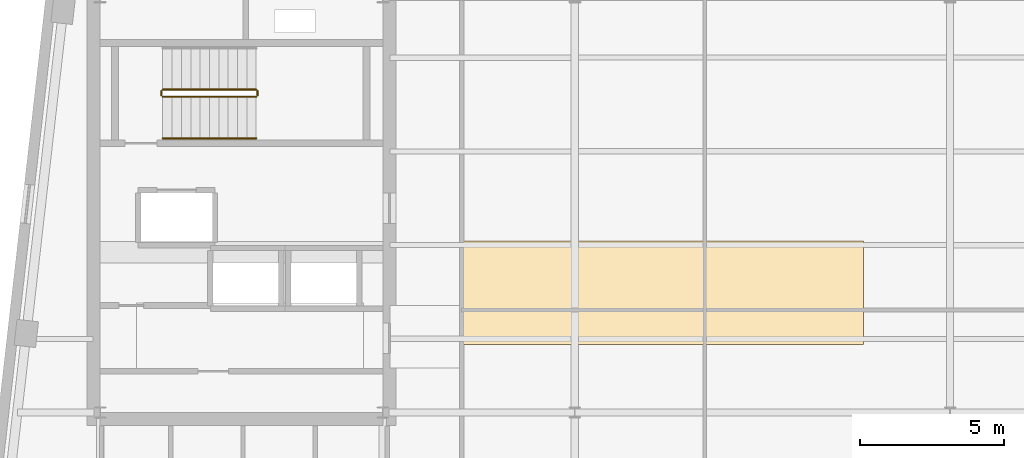
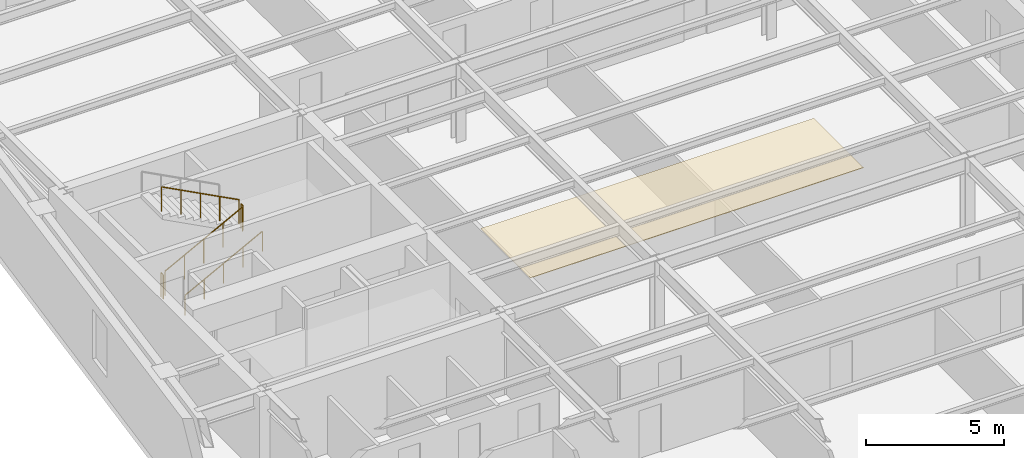
# One storey, part 11 of 13: 5 railings, 1 covering.
"""IFC4 building model written with IfcOpenShell, lengths in metres."""

from ifc_helpers import new_model, si_unit, direction, frame, origin, origin_2d, place, context, subcontext, project, spatial, polyline, circle, outline, extrude, material, layer, layer_set, type_object, element, save


model = new_model("IFC4")

# Units and contexts
model_context = context("Model", 3, precision=1e-05, world=origin(), true_north=direction((0.0, 1.0)))
body_context = subcontext(model_context, "Body", "Model", "MODEL_VIEW")
ifc_project = project(units=[si_unit("LENGTHUNIT", "METRE"), si_unit("AREAUNIT", "SQUARE_METRE"), si_unit("VOLUMEUNIT", "CUBIC_METRE"), si_unit("PLANEANGLEUNIT", "RADIAN"), si_unit("MASSUNIT", "GRAM", prefix="KILO")], contexts=[model_context])

# Site, building, storey
site_placement = place(None, origin())
site = spatial("IfcSite", under=ifc_project, at=site_placement, CompositionType="ELEMENT")
building_placement = place(site_placement, origin())
building = spatial("IfcBuilding", under=site, at=building_placement, Name="Kolvaren Arena Tower", CompositionType="ELEMENT")
storey_placement = place(building_placement, frame((0.0, 0.0, 250.949951171875)))
storey = spatial("IfcBuildingStorey", under=building, at=storey_placement, Name="L61", CompositionType="ELEMENT", Elevation=250.949951171875)

# Covering
ifc_material_1 = material(Name="Mineral fibre acoustic ceiling tile", Category="gypsum")
ifc_layer = layer(ifc_material_1, 0.02490234375)
ifc_layer_set = layer_set([ifc_layer], Name="Mineral fibre acoustic ceiling tile")
covering_type = type_object("IfcCoveringType", Name="CEIL-ACT-1", PredefinedType="CEILING", material=ifc_layer_set)
covering_placement = place(storey_placement, frame((0.0, 0.0, 2.52001953125)))
element("IfcCovering", 1, at=covering_placement, inside=storey, type_object=covering_type, Name="Suspended Ceiling (L61)", PredefinedType="CEILING", context=body_context, shape_type="SweptSolid", body=[
    extrude(outline(polyline([(27.050048828125, 21.800048828125), (27.050048828125, 25.39990234375), (41.0, 25.39990234375), (41.0, 21.800048828125), (27.050048828125, 21.800048828125)])), origin(), (0.0, 0.0, 1.0), 0.025146484375),
])

# Railings
ifc_material_2 = material(Name="Painted galvanized steel", Category="steel")
railing_type_1 = type_object("IfcRailingType", Name="GUARD-ST-110", PredefinedType="GUARDRAIL", material=ifc_material_2)
railing_1_placement = place(storey_placement, frame((16.719970703125, 30.389892578125, 0.17041015625)))
element("IfcRailing", 2, at=railing_1_placement, inside=storey, type_object=railing_type_1, Name="L61 ST-W1 stair guard 1", PredefinedType="GUARDRAIL", context=body_context, shape_type="SweptSolid", body=[
    extrude(circle(Radius=0.02392578125, at=origin_2d()), frame((0.0, 0.0, 1.076171875), z_axis=(0.884993431791, 0.0, 0.465603506952), x_axis=(0.0, 1.0, 0.0)), (0.0, 0.0, 1.0), 3.6611328125),
    extrude(circle(Radius=0.02099609375, at=origin_2d()), origin(), (0.0, 0.0, 1.0), 1.052001953125),
    extrude(circle(Radius=0.02099609375, at=origin_2d()), frame((0.81005859375, 0.0, 0.42626953125)), (0.0, 0.0, 1.0), 1.052001953125),
    extrude(circle(Radius=0.02099609375, at=origin_2d()), frame((1.6201171875, 0.0, 0.852294921875)), (0.0, 0.0, 1.0), 1.052001953125),
    extrude(circle(Radius=0.02099609375, at=origin_2d()), frame((2.429931640625, 0.0, 1.2783203125)), (0.0, 0.0, 1.0), 1.052001953125),
    extrude(circle(Radius=0.02099609375, at=origin_2d()), frame((3.239990234375, 0.0, 1.70458984375)), (0.0, 0.0, 1.0), 1.052001953125),
])
railing_2_placement = place(storey_placement, frame((20.010009765625, 30.43994140625, 1.875)))
element("IfcRailing", 3, at=railing_2_placement, inside=storey, type_object=railing_type_1, Name="L61 ST-W1 stair guard 2", PredefinedType="GUARDRAIL", context=body_context, shape_type="SweptSolid", body=[
    extrude(circle(Radius=0.02392578125, at=origin_2d()), frame((0.0, 0.0, 1.076171875), z_axis=(0.0, 1.0, 0.0), x_axis=(-1.0, 0.0, 0.0)), (0.0, 0.0, 1.0), 0.150146484375),
    extrude(circle(Radius=0.02099609375, at=origin_2d()), origin(), (0.0, 0.0, 1.0), 1.052001953125),
    extrude(circle(Radius=0.02099609375, at=origin_2d()), frame((0.0, 0.150146484375, 0.0)), (0.0, 0.0, 1.0), 1.052001953125),
])
railing_3_placement = place(storey_placement, frame((19.9599609375, 30.639892578125, 2.04541015625)))
element("IfcRailing", 4, at=railing_3_placement, inside=storey, type_object=railing_type_1, Name="L61 ST-W1 stair guard 3", PredefinedType="GUARDRAIL", context=body_context, shape_type="SweptSolid", body=[
    extrude(circle(Radius=0.02392578125, at=origin_2d()), frame((0.0, 0.0, 1.076171875), z_axis=(-0.884993431791, 0.0, 0.465603506952), x_axis=(0.0, -1.0, 0.0)), (0.0, 0.0, 1.0), 3.6611328125),
    extrude(circle(Radius=0.02099609375, at=origin_2d()), origin(), (0.0, 0.0, 1.0), 1.052001953125),
    extrude(circle(Radius=0.02099609375, at=origin_2d()), frame((-0.81005859375, 0.0, 0.42626953125)), (0.0, 0.0, 1.0), 1.052001953125),
    extrude(circle(Radius=0.02099609375, at=origin_2d()), frame((-1.6201171875, 0.0, 0.852294921875)), (0.0, 0.0, 1.0), 1.052001953125),
    extrude(circle(Radius=0.02099609375, at=origin_2d()), frame((-2.429931640625, 0.0, 1.2783203125)), (0.0, 0.0, 1.0), 1.052001953125),
    extrude(circle(Radius=0.02099609375, at=origin_2d()), frame((-3.239990234375, 0.0, 1.70458984375)), (0.0, 0.0, 1.0), 1.052001953125),
])
railing_4_placement = place(storey_placement, frame((16.669921875, 30.43994140625, 0.0)))
element("IfcRailing", 5, at=railing_4_placement, inside=storey, type_object=railing_type_1, Name="L61 ST-W1 stair guard 4", PredefinedType="GUARDRAIL", context=body_context, shape_type="SweptSolid", body=[
    extrude(circle(Radius=0.02392578125, at=origin_2d()), frame((0.0, 0.0, 1.076171875), z_axis=(0.0, 1.0, 0.0), x_axis=(-1.0, 0.0, 0.0)), (0.0, 0.0, 1.0), 0.150146484375),
    extrude(circle(Radius=0.02099609375, at=origin_2d()), origin(), (0.0, 0.0, 1.0), 1.052001953125),
    extrude(circle(Radius=0.02099609375, at=origin_2d()), frame((0.0, 0.150146484375, 0.0)), (0.0, 0.0, 1.0), 1.052001953125),
])
ifc_material_3 = material(Name="Brushed stainless steel handrail", Category="steel")
railing_type_2 = type_object("IfcRailingType", Name="HRAIL-900", PredefinedType="HANDRAIL", material=ifc_material_3)
railing_5_placement = place(storey_placement, frame((16.719970703125, 28.949951171875, 0.17041015625)))
element("IfcRailing", 6, at=railing_5_placement, inside=storey, type_object=railing_type_2, Name="L61 ST-W1 stair handrail 1", PredefinedType="HANDRAIL", context=body_context, shape_type="SweptSolid", body=[
    extrude(circle(Radius=0.02392578125, at=origin_2d()), frame((0.0, 0.0, 0.8759765625), z_axis=(0.884993431791, 0.0, 0.465603506952), x_axis=(0.0, 1.0, 0.0)), (0.0, 0.0, 1.0), 3.6611328125),
    extrude(circle(Radius=0.02099609375, at=origin_2d()), origin(), (0.0, 0.0, 1.0), 0.851806640625),
    extrude(circle(Radius=0.02099609375, at=origin_2d()), frame((0.81005859375, 0.0, 0.42626953125)), (0.0, 0.0, 1.0), 0.851806640625),
    extrude(circle(Radius=0.02099609375, at=origin_2d()), frame((1.6201171875, 0.0, 0.852294921875)), (0.0, 0.0, 1.0), 0.851806640625),
    extrude(circle(Radius=0.02099609375, at=origin_2d()), frame((2.429931640625, 0.0, 1.2783203125)), (0.0, 0.0, 1.0), 0.851806640625),
    extrude(circle(Radius=0.02099609375, at=origin_2d()), frame((3.239990234375, 0.0, 1.70458984375)), (0.0, 0.0, 1.0), 0.851806640625),
])

save(model, "model.ifc")
